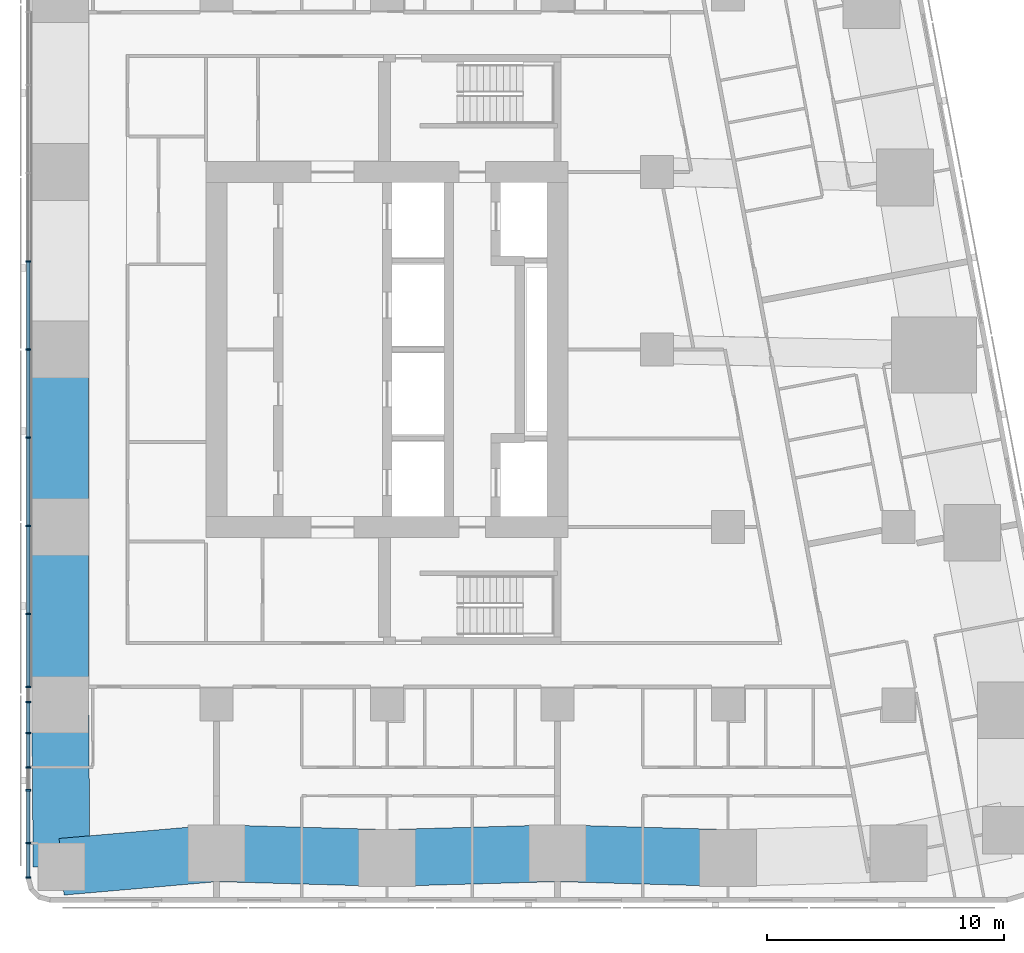
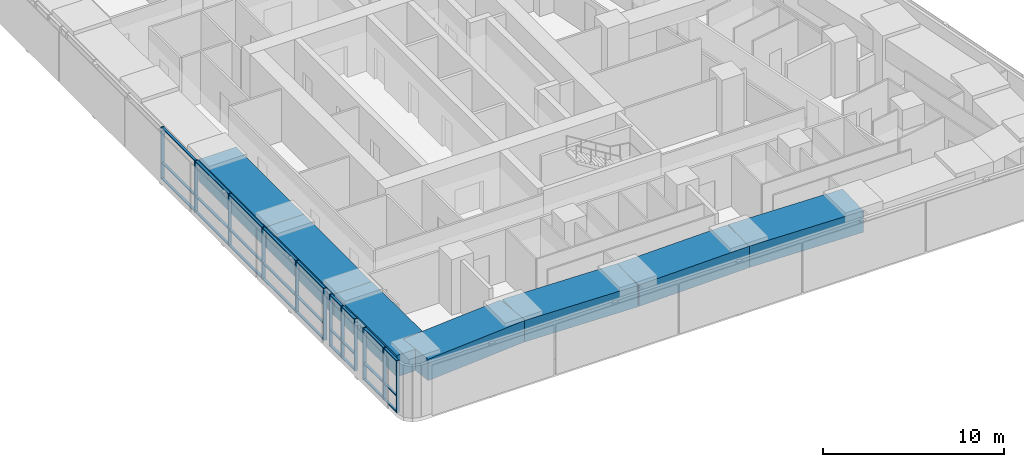
# One storey, part 2 of 19: 39 members, 7 beams, 1 element without a shape of its own.
"""IFC4 building model written with IfcOpenShell, lengths in metres."""

from ifc_helpers import new_model, si_unit, direction, frame, origin, origin_2d, place, context, subcontext, project, spatial, rectangle, extrude, material, material_profile, profile_set, type_object, element, aggregate, save


model = new_model("IFC4")

# Units and contexts
model_context = context("Model", 3, precision=1e-05, world=origin(), true_north=direction((0.0, 1.0)))
body_context = subcontext(model_context, "Body", "Model", "MODEL_VIEW")
ifc_project = project(units=[si_unit("LENGTHUNIT", "METRE"), si_unit("AREAUNIT", "SQUARE_METRE"), si_unit("VOLUMEUNIT", "CUBIC_METRE"), si_unit("PLANEANGLEUNIT", "RADIAN"), si_unit("MASSUNIT", "GRAM", prefix="KILO")], contexts=[model_context])

# Site, building, storey
site_placement = place(None, origin())
site = spatial("IfcSite", under=ifc_project, at=site_placement, CompositionType="ELEMENT")
building_placement = place(site_placement, origin())
building = spatial("IfcBuilding", under=site, at=building_placement, Name="Sheger Commons Tower", CompositionType="ELEMENT")
storey_placement = place(building_placement, frame((0.0, 0.0, 197.449951171875)))
storey = spatial("IfcBuildingStorey", under=building, at=storey_placement, Name="L50", CompositionType="ELEMENT", Elevation=197.449951171875)

# Curtain wall, members
ifc_material_1 = material(Name="Black aluminium curtain wall, dark tinted glazing", Category="aluminium")
curtain_wall_type = type_object("IfcCurtainWallType", Name="CURTAIN WALL CW4 GALLERY", PredefinedType="USERDEFINED", material=ifc_material_1)
curtain_wall_placement = place(storey_placement, origin())
curtain_wall = element("IfcCurtainWall", 1, at=curtain_wall_placement, inside=storey, type_object=curtain_wall_type, Name="Curtain Wall Cw4 Gallery W1 L50", ObjectType="UNITISED CURTAIN WALL", PredefinedType="USERDEFINED")
ifc_material_2 = material(Name="Black anodised aluminium", Category="aluminium")
ifc_material_profile_1 = material_profile(ifc_material_2, rectangle(XDim=0.199951171875, YDim=0.06494140625, at=origin_2d()), Name="AL 65x200")
ifc_profile_set_1 = profile_set([ifc_material_profile_1], Name="Black anodised aluminium")
member_type_1 = type_object("IfcMemberType", Name="MULLION AL 65x200", PredefinedType="MULLION", material=ifc_profile_set_1)
member_1_placement = place(storey_placement, frame((6.449951171875, 26.222900390625, 0.0), z_axis=(0.0, 0.0, 1.0), x_axis=(1.0, 0.0, 0.0)))
member_1 = element("IfcMember", 2, at=member_1_placement, type_object=member_type_1, Name="CW4 mullion 10", PredefinedType="MULLION", context=body_context, shape_type="SweptSolid", body=[
    extrude(rectangle(XDim=0.199951171875, YDim=0.06494140625, at=origin_2d()), origin(), (0.0, 0.0, 1.0), 3.5),
])
member_2_placement = place(storey_placement, frame((6.449951171875, 22.5, 0.0), z_axis=(0.0, 0.0, 1.0), x_axis=(1.0, 0.0, 0.0)))
member_2 = element("IfcMember", 3, at=member_2_placement, type_object=member_type_1, Name="CW4 mullion 11", PredefinedType="MULLION", context=body_context, shape_type="SweptSolid", body=[
    extrude(rectangle(XDim=0.199951171875, YDim=0.06494140625, at=origin_2d()), origin(), (0.0, 0.0, 1.0), 3.5),
])
member_3_placement = place(storey_placement, frame((6.449951171875, 18.777099609375, 0.0), z_axis=(0.0, 0.0, 1.0), x_axis=(1.0, 0.0, 0.0)))
member_3 = element("IfcMember", 4, at=member_3_placement, type_object=member_type_1, Name="CW4 mullion 12", PredefinedType="MULLION", context=body_context, shape_type="SweptSolid", body=[
    extrude(rectangle(XDim=0.199951171875, YDim=0.06494140625, at=origin_2d()), origin(), (0.0, 0.0, 1.0), 3.5),
])
member_4_placement = place(storey_placement, frame((6.449951171875, 15.053955078125, 0.0), z_axis=(0.0, 0.0, 1.0), x_axis=(1.0, 0.0, 0.0)))
member_4 = element("IfcMember", 5, at=member_4_placement, type_object=member_type_1, Name="CW4 mullion 13", PredefinedType="MULLION", context=body_context, shape_type="SweptSolid", body=[
    extrude(rectangle(XDim=0.199951171875, YDim=0.06494140625, at=origin_2d()), origin(), (0.0, 0.0, 1.0), 3.5),
])
member_5_placement = place(storey_placement, frame((6.449951171875, 11.3310546875, 0.0), z_axis=(0.0, 0.0, 1.0), x_axis=(1.0, 0.0, 0.0)))
member_5 = element("IfcMember", 6, at=member_5_placement, type_object=member_type_1, Name="CW4 mullion 14", PredefinedType="MULLION", context=body_context, shape_type="SweptSolid", body=[
    extrude(rectangle(XDim=0.199951171875, YDim=0.06494140625, at=origin_2d()), origin(), (0.0, 0.0, 1.0), 3.5),
])
member_6_placement = place(storey_placement, frame((6.449951171875, 8.25, 0.0), z_axis=(0.0, 0.0, 1.0), x_axis=(1.0, 0.0, 0.0)))
member_6 = element("IfcMember", 7, at=member_6_placement, type_object=member_type_1, Name="CW4 mullion 15", PredefinedType="MULLION", context=body_context, shape_type="SweptSolid", body=[
    extrude(rectangle(XDim=0.199951171875, YDim=0.06494140625, at=origin_2d()), origin(), (0.0, 0.0, 1.0), 3.5),
])
member_7_placement = place(storey_placement, frame((6.449951171875, 7.60888671875, 0.0), z_axis=(0.0, 0.0, 1.0), x_axis=(1.0, 0.0, 0.0)))
member_7 = element("IfcMember", 8, at=member_7_placement, type_object=member_type_1, Name="CW4 mullion 16", PredefinedType="MULLION", context=body_context, shape_type="SweptSolid", body=[
    extrude(rectangle(XDim=0.199951171875, YDim=0.06494140625, at=origin_2d()), origin(), (0.0, 0.0, 1.0), 3.5),
])
member_8_placement = place(storey_placement, frame((6.449951171875, 6.300048828125, 0.0), z_axis=(0.0, 0.0, 1.0), x_axis=(1.0, 0.0, 0.0)))
member_8 = element("IfcMember", 9, at=member_8_placement, type_object=member_type_1, Name="CW4 mullion 17", PredefinedType="MULLION", context=body_context, shape_type="SweptSolid", body=[
    extrude(rectangle(XDim=0.199951171875, YDim=0.06494140625, at=origin_2d()), origin(), (0.0, 0.0, 1.0), 3.5),
])
member_9_placement = place(storey_placement, frame((6.449951171875, 4.85009765625, 0.0), z_axis=(0.0, 0.0, 1.0), x_axis=(1.0, 0.0, 0.0)))
member_9 = element("IfcMember", 10, at=member_9_placement, type_object=member_type_1, Name="CW4 mullion 18", PredefinedType="MULLION", context=body_context, shape_type="SweptSolid", body=[
    extrude(rectangle(XDim=0.199951171875, YDim=0.06494140625, at=origin_2d()), origin(), (0.0, 0.0, 1.0), 3.5),
])
member_10_placement = place(storey_placement, frame((6.449951171875, 3.885986328125, 0.0), z_axis=(0.0, 0.0, 1.0), x_axis=(1.0, 0.0, 0.0)))
member_10 = element("IfcMember", 11, at=member_10_placement, type_object=member_type_1, Name="CW4 mullion 19", PredefinedType="MULLION", context=body_context, shape_type="SweptSolid", body=[
    extrude(rectangle(XDim=0.199951171875, YDim=0.06494140625, at=origin_2d()), origin(), (0.0, 0.0, 1.0), 3.5),
])
member_11_placement = place(storey_placement, frame((6.449951171875, 1.654052734375, 0.0), z_axis=(0.0, 0.0, 1.0), x_axis=(1.0, 0.0, 0.0)))
member_11 = element("IfcMember", 12, at=member_11_placement, type_object=member_type_1, Name="CW4 mullion 20", PredefinedType="MULLION", context=body_context, shape_type="SweptSolid", body=[
    extrude(rectangle(XDim=0.199951171875, YDim=0.06494140625, at=origin_2d()), origin(), (0.0, 0.0, 1.0), 3.5),
])
member_12_placement = place(storey_placement, frame((6.449951171875, 0.195556640625, 0.0), z_axis=(0.0, 0.0, 1.0), x_axis=(1.0, 0.0, 0.0)))
member_12 = element("IfcMember", 13, at=member_12_placement, type_object=member_type_1, Name="CW4 mullion 21", PredefinedType="MULLION", context=body_context, shape_type="SweptSolid", body=[
    extrude(rectangle(XDim=0.199951171875, YDim=0.06494140625, at=origin_2d()), origin(), (0.0, 0.0, 1.0), 3.5),
])

# Beams
ifc_material_3 = material(Name="Concrete C50/60", Category="concrete")
ifc_material_profile_2 = material_profile(ifc_material_3, rectangle(XDim=2.39990234375, YDim=1.449951171875, at=origin_2d()), Name="RC 2400x1450")
ifc_profile_set_2 = profile_set([ifc_material_profile_2], Name="Concrete C50/60")
beam_type = type_object("IfcBeamType", Name="SPANDREL RC 2400x1450", PredefinedType="SPANDREL", material=ifc_profile_set_2)
beam_1_placement = place(storey_placement, frame((7.85400390625, 0.654052734375, 2.775146484375), z_axis=(0.996216429799, 0.086906990501, 0.0), x_axis=(-0.086906990501, 0.996216429799, 0.0)))
element("IfcBeam", 14, at=beam_1_placement, inside=storey, type_object=beam_type, Name="Beam 2/A-3/A under L51", PredefinedType="SPANDREL", context=body_context, shape_type="SweptSolid", body=[
    extrude(rectangle(XDim=2.39990234375, YDim=1.449951171875, at=origin_2d()), origin(), (0.0, 0.0, 1.0), 6.57080078125),
])
beam_2_placement = place(storey_placement, frame((14.39990234375, 1.22509765625, 2.775146484375), z_axis=(0.999613688584, -0.027793409217, 0.0), x_axis=(0.027793409217, 0.999613688584, 0.0)))
element("IfcBeam", 15, at=beam_2_placement, inside=storey, type_object=beam_type, Name="Beam 3/A-4/A under L51", PredefinedType="SPANDREL", context=body_context, shape_type="SweptSolid", body=[
    extrude(rectangle(XDim=2.39990234375, YDim=1.449951171875, at=origin_2d()), origin(), (0.0, 0.0, 1.0), 7.202880859375),
])
for number, where, z_axis, x_axis, name in (
    (16, (21.60009765625, 1.02490234375, 2.775146484375), (0.9996136624, 0.027794350926, 0.0), (-0.027794350926, 0.9996136624, 0.0), "Beam 4/A-5/A under L51"),
    (17, (28.800048828125, 1.22509765625, 2.775146484375), (0.9996136624, -0.027794350926, 0.0), (0.027794350926, 0.9996136624, 0.0), "Beam 5/A-6/A under L51"),
):
    element("IfcBeam", number, at=place(storey_placement, frame(where, z_axis=z_axis, x_axis=x_axis)), inside=storey, type_object=beam_type, Name=name, PredefinedType="SPANDREL", context=body_context, shape_type="SweptSolid", body=[
        extrude(rectangle(XDim=2.39990234375, YDim=1.449951171875, at=origin_2d()), origin(), (0.0, 0.0, 1.0), 7.20263671875),
    ])
for number, where, z_axis, x_axis, name in (
    (18, (7.800048828125, 22.5, 2.775146484375), (0.0, -1.0, 0.0), (1.0, 0.0, 0.0), "Beam 2/D-2/C under L51"),
    (19, (7.800048828125, 15.0, 2.775146484375), (0.0, -1.0, 0.0), (1.0, 0.0, 0.0), "Beam 2/C-2/B under L51"),
):
    element("IfcBeam", number, at=place(storey_placement, frame(where, z_axis=z_axis, x_axis=x_axis)), inside=storey, type_object=beam_type, Name=name, PredefinedType="SPANDREL", context=body_context, shape_type="SweptSolid", body=[
        extrude(rectangle(XDim=2.39990234375, YDim=1.449951171875, at=origin_2d()), origin(), (0.0, 0.0, 1.0), 7.5),
    ])
beam_3_placement = place(storey_placement, frame((7.800048828125, 7.5, 2.775146484375), z_axis=(0.00788107188, -0.999968943871, 0.0), x_axis=(0.999968943871, 0.00788107188, 0.0)))
element("IfcBeam", 20, at=beam_3_placement, inside=storey, type_object=beam_type, Name="Beam 2/B-2/A under L51", PredefinedType="SPANDREL", context=body_context, shape_type="SweptSolid", body=[
    extrude(rectangle(XDim=2.39990234375, YDim=1.449951171875, at=origin_2d()), origin(), (0.0, 0.0, 1.0), 6.84619140625),
])

# Member
ifc_material_4 = material(Name="Black anodised aluminium", Category="aluminium")
ifc_material_profile_3 = material_profile(ifc_material_4, rectangle(XDim=0.14990234375, YDim=0.06494140625, at=origin_2d()), Name="AL 65x150")
ifc_profile_set_3 = profile_set([ifc_material_profile_3], Name="Black anodised aluminium")
member_type_2 = type_object("IfcMemberType", Name="TRANSOM AL 65x150", PredefinedType="USERDEFINED", material=ifc_profile_set_3)
member_13_placement = place(storey_placement, frame((6.449951171875, 26.1904296875, 0.032470703125), z_axis=(0.0, -1.0, 0.0), x_axis=(1.0, 0.0, 0.0)))
member_13 = element("IfcMember", 21, at=member_13_placement, type_object=member_type_2, Name="CW4 transom 10.1", ObjectType="TRANSOM", PredefinedType="USERDEFINED", context=body_context, shape_type="SweptSolid", body=[
    extrude(rectangle(XDim=0.14990234375, YDim=0.06494140625, at=origin_2d()), origin(), (0.0, 0.0, 1.0), 3.657958984375),
])

member_14_placement = place(storey_placement, frame((6.449951171875, 26.1904296875, 1.10009765625), z_axis=(0.0, -1.0, 0.0), x_axis=(1.0, 0.0, 0.0)))
member_14 = element("IfcMember", 22, at=member_14_placement, type_object=member_type_2, Name="CW4 transom 10.2", ObjectType="TRANSOM", PredefinedType="USERDEFINED", context=body_context, shape_type="SweptSolid", body=[
    extrude(rectangle(XDim=0.14990234375, YDim=0.06494140625, at=origin_2d()), origin(), (0.0, 0.0, 1.0), 3.657958984375),
])

member_15_placement = place(storey_placement, frame((6.449951171875, 26.1904296875, 3.467529296875), z_axis=(0.0, -1.0, 0.0), x_axis=(1.0, 0.0, 0.0)))
member_15 = element("IfcMember", 23, at=member_15_placement, type_object=member_type_2, Name="CW4 transom 10.3", ObjectType="TRANSOM", PredefinedType="USERDEFINED", context=body_context, shape_type="SweptSolid", body=[
    extrude(rectangle(XDim=0.14990234375, YDim=0.06494140625, at=origin_2d()), origin(), (0.0, 0.0, 1.0), 3.657958984375),
])

member_16_placement = place(storey_placement, frame((6.449951171875, 22.467529296875, 0.032470703125), z_axis=(0.0, -1.0, 0.0), x_axis=(1.0, 0.0, 0.0)))
member_16 = element("IfcMember", 24, at=member_16_placement, type_object=member_type_2, Name="CW4 transom 11.1", ObjectType="TRANSOM", PredefinedType="USERDEFINED", context=body_context, shape_type="SweptSolid", body=[
    extrude(rectangle(XDim=0.14990234375, YDim=0.06494140625, at=origin_2d()), origin(), (0.0, 0.0, 1.0), 3.657958984375),
])

member_17_placement = place(storey_placement, frame((6.449951171875, 22.467529296875, 1.10009765625), z_axis=(0.0, -1.0, 0.0), x_axis=(1.0, 0.0, 0.0)))
member_17 = element("IfcMember", 25, at=member_17_placement, type_object=member_type_2, Name="CW4 transom 11.2", ObjectType="TRANSOM", PredefinedType="USERDEFINED", context=body_context, shape_type="SweptSolid", body=[
    extrude(rectangle(XDim=0.14990234375, YDim=0.06494140625, at=origin_2d()), origin(), (0.0, 0.0, 1.0), 3.657958984375),
])

member_18_placement = place(storey_placement, frame((6.449951171875, 22.467529296875, 3.467529296875), z_axis=(0.0, -1.0, 0.0), x_axis=(1.0, 0.0, 0.0)))
member_18 = element("IfcMember", 26, at=member_18_placement, type_object=member_type_2, Name="CW4 transom 11.3", ObjectType="TRANSOM", PredefinedType="USERDEFINED", context=body_context, shape_type="SweptSolid", body=[
    extrude(rectangle(XDim=0.14990234375, YDim=0.06494140625, at=origin_2d()), origin(), (0.0, 0.0, 1.0), 3.657958984375),
])

member_19_placement = place(storey_placement, frame((6.449951171875, 18.744384765625, 0.032470703125), z_axis=(0.0, -1.0, 0.0), x_axis=(1.0, 0.0, 0.0)))
member_19 = element("IfcMember", 27, at=member_19_placement, type_object=member_type_2, Name="CW4 transom 12.1", ObjectType="TRANSOM", PredefinedType="USERDEFINED", context=body_context, shape_type="SweptSolid", body=[
    extrude(rectangle(XDim=0.14990234375, YDim=0.06494140625, at=origin_2d()), origin(), (0.0, 0.0, 1.0), 3.657958984375),
])

member_20_placement = place(storey_placement, frame((6.449951171875, 18.744384765625, 1.10009765625), z_axis=(0.0, -1.0, 0.0), x_axis=(1.0, 0.0, 0.0)))
member_20 = element("IfcMember", 28, at=member_20_placement, type_object=member_type_2, Name="CW4 transom 12.2", ObjectType="TRANSOM", PredefinedType="USERDEFINED", context=body_context, shape_type="SweptSolid", body=[
    extrude(rectangle(XDim=0.14990234375, YDim=0.06494140625, at=origin_2d()), origin(), (0.0, 0.0, 1.0), 3.657958984375),
])

member_21_placement = place(storey_placement, frame((6.449951171875, 18.744384765625, 3.467529296875), z_axis=(0.0, -1.0, 0.0), x_axis=(1.0, 0.0, 0.0)))
member_21 = element("IfcMember", 29, at=member_21_placement, type_object=member_type_2, Name="CW4 transom 12.3", ObjectType="TRANSOM", PredefinedType="USERDEFINED", context=body_context, shape_type="SweptSolid", body=[
    extrude(rectangle(XDim=0.14990234375, YDim=0.06494140625, at=origin_2d()), origin(), (0.0, 0.0, 1.0), 3.657958984375),
])

member_22_placement = place(storey_placement, frame((6.449951171875, 15.021484375, 0.032470703125), z_axis=(0.0, -1.0, 0.0), x_axis=(1.0, 0.0, 0.0)))
member_22 = element("IfcMember", 30, at=member_22_placement, type_object=member_type_2, Name="CW4 transom 13.1", ObjectType="TRANSOM", PredefinedType="USERDEFINED", context=body_context, shape_type="SweptSolid", body=[
    extrude(rectangle(XDim=0.14990234375, YDim=0.06494140625, at=origin_2d()), origin(), (0.0, 0.0, 1.0), 3.657958984375),
])

member_23_placement = place(storey_placement, frame((6.449951171875, 15.021484375, 1.10009765625), z_axis=(0.0, -1.0, 0.0), x_axis=(1.0, 0.0, 0.0)))
member_23 = element("IfcMember", 31, at=member_23_placement, type_object=member_type_2, Name="CW4 transom 13.2", ObjectType="TRANSOM", PredefinedType="USERDEFINED", context=body_context, shape_type="SweptSolid", body=[
    extrude(rectangle(XDim=0.14990234375, YDim=0.06494140625, at=origin_2d()), origin(), (0.0, 0.0, 1.0), 3.657958984375),
])

member_24_placement = place(storey_placement, frame((6.449951171875, 15.021484375, 3.467529296875), z_axis=(0.0, -1.0, 0.0), x_axis=(1.0, 0.0, 0.0)))
member_24 = element("IfcMember", 32, at=member_24_placement, type_object=member_type_2, Name="CW4 transom 13.3", ObjectType="TRANSOM", PredefinedType="USERDEFINED", context=body_context, shape_type="SweptSolid", body=[
    extrude(rectangle(XDim=0.14990234375, YDim=0.06494140625, at=origin_2d()), origin(), (0.0, 0.0, 1.0), 3.657958984375),
])

member_25_placement = place(storey_placement, frame((6.449951171875, 11.298583984375, 0.032470703125), z_axis=(0.0, -1.0, 0.0), x_axis=(1.0, 0.0, 0.0)))
member_25 = element("IfcMember", 33, at=member_25_placement, type_object=member_type_2, Name="CW4 transom 14.1", ObjectType="TRANSOM", PredefinedType="USERDEFINED", context=body_context, shape_type="SweptSolid", body=[
    extrude(rectangle(XDim=0.14990234375, YDim=0.06494140625, at=origin_2d()), origin(), (0.0, 0.0, 1.0), 3.01611328125),
])

member_26_placement = place(storey_placement, frame((6.449951171875, 11.298583984375, 1.10009765625), z_axis=(0.0, -1.0, 0.0), x_axis=(1.0, 0.0, 0.0)))
member_26 = element("IfcMember", 34, at=member_26_placement, type_object=member_type_2, Name="CW4 transom 14.2", ObjectType="TRANSOM", PredefinedType="USERDEFINED", context=body_context, shape_type="SweptSolid", body=[
    extrude(rectangle(XDim=0.14990234375, YDim=0.06494140625, at=origin_2d()), origin(), (0.0, 0.0, 1.0), 3.01611328125),
])

member_27_placement = place(storey_placement, frame((6.449951171875, 11.298583984375, 3.467529296875), z_axis=(0.0, -1.0, 0.0), x_axis=(1.0, 0.0, 0.0)))
member_27 = element("IfcMember", 35, at=member_27_placement, type_object=member_type_2, Name="CW4 transom 14.3", ObjectType="TRANSOM", PredefinedType="USERDEFINED", context=body_context, shape_type="SweptSolid", body=[
    extrude(rectangle(XDim=0.14990234375, YDim=0.06494140625, at=origin_2d()), origin(), (0.0, 0.0, 1.0), 3.01611328125),
])

member_28_placement = place(storey_placement, frame((6.449951171875, 7.576416015625, 0.032470703125), z_axis=(0.0, -1.0, 0.0), x_axis=(1.0, 0.0, 0.0)))
member_28 = element("IfcMember", 36, at=member_28_placement, type_object=member_type_2, Name="CW4 transom 16.1", ObjectType="TRANSOM", PredefinedType="USERDEFINED", context=body_context, shape_type="SweptSolid", body=[
    extrude(rectangle(XDim=0.14990234375, YDim=0.06494140625, at=origin_2d()), origin(), (0.0, 0.0, 1.0), 1.243896484375),
])

member_29_placement = place(storey_placement, frame((6.449951171875, 7.576416015625, 1.10009765625), z_axis=(0.0, -1.0, 0.0), x_axis=(1.0, 0.0, 0.0)))
member_29 = element("IfcMember", 37, at=member_29_placement, type_object=member_type_2, Name="CW4 transom 16.2", ObjectType="TRANSOM", PredefinedType="USERDEFINED", context=body_context, shape_type="SweptSolid", body=[
    extrude(rectangle(XDim=0.14990234375, YDim=0.06494140625, at=origin_2d()), origin(), (0.0, 0.0, 1.0), 1.243896484375),
])

member_30_placement = place(storey_placement, frame((6.449951171875, 7.576416015625, 3.467529296875), z_axis=(0.0, -1.0, 0.0), x_axis=(1.0, 0.0, 0.0)))
member_30 = element("IfcMember", 38, at=member_30_placement, type_object=member_type_2, Name="CW4 transom 16.3", ObjectType="TRANSOM", PredefinedType="USERDEFINED", context=body_context, shape_type="SweptSolid", body=[
    extrude(rectangle(XDim=0.14990234375, YDim=0.06494140625, at=origin_2d()), origin(), (0.0, 0.0, 1.0), 1.243896484375),
])

member_31_placement = place(storey_placement, frame((6.449951171875, 6.267578125, 0.032470703125), z_axis=(0.0, -1.0, 0.0), x_axis=(1.0, 0.0, 0.0)))
member_31 = element("IfcMember", 39, at=member_31_placement, type_object=member_type_2, Name="CW4 transom 17.1", ObjectType="TRANSOM", PredefinedType="USERDEFINED", context=body_context, shape_type="SweptSolid", body=[
    extrude(rectangle(XDim=0.14990234375, YDim=0.06494140625, at=origin_2d()), origin(), (0.0, 0.0, 1.0), 1.385009765625),
])

member_32_placement = place(storey_placement, frame((6.449951171875, 6.267578125, 1.10009765625), z_axis=(0.0, -1.0, 0.0), x_axis=(1.0, 0.0, 0.0)))
member_32 = element("IfcMember", 40, at=member_32_placement, type_object=member_type_2, Name="CW4 transom 17.2", ObjectType="TRANSOM", PredefinedType="USERDEFINED", context=body_context, shape_type="SweptSolid", body=[
    extrude(rectangle(XDim=0.14990234375, YDim=0.06494140625, at=origin_2d()), origin(), (0.0, 0.0, 1.0), 1.385009765625),
])

member_33_placement = place(storey_placement, frame((6.449951171875, 6.267578125, 3.467529296875), z_axis=(0.0, -1.0, 0.0), x_axis=(1.0, 0.0, 0.0)))
member_33 = element("IfcMember", 41, at=member_33_placement, type_object=member_type_2, Name="CW4 transom 17.3", ObjectType="TRANSOM", PredefinedType="USERDEFINED", context=body_context, shape_type="SweptSolid", body=[
    extrude(rectangle(XDim=0.14990234375, YDim=0.06494140625, at=origin_2d()), origin(), (0.0, 0.0, 1.0), 1.385009765625),
])

member_34_placement = place(storey_placement, frame((6.449951171875, 3.853515625, 0.032470703125), z_axis=(0.0, -1.0, 0.0), x_axis=(1.0, 0.0, 0.0)))
member_34 = element("IfcMember", 42, at=member_34_placement, type_object=member_type_2, Name="CW4 transom 19.1", ObjectType="TRANSOM", PredefinedType="USERDEFINED", context=body_context, shape_type="SweptSolid", body=[
    extrude(rectangle(XDim=0.14990234375, YDim=0.06494140625, at=origin_2d()), origin(), (0.0, 0.0, 1.0), 2.1669921875),
])

member_35_placement = place(storey_placement, frame((6.449951171875, 3.853515625, 1.10009765625), z_axis=(0.0, -1.0, 0.0), x_axis=(1.0, 0.0, 0.0)))
member_35 = element("IfcMember", 43, at=member_35_placement, type_object=member_type_2, Name="CW4 transom 19.2", ObjectType="TRANSOM", PredefinedType="USERDEFINED", context=body_context, shape_type="SweptSolid", body=[
    extrude(rectangle(XDim=0.14990234375, YDim=0.06494140625, at=origin_2d()), origin(), (0.0, 0.0, 1.0), 2.1669921875),
])

member_36_placement = place(storey_placement, frame((6.449951171875, 3.853515625, 3.467529296875), z_axis=(0.0, -1.0, 0.0), x_axis=(1.0, 0.0, 0.0)))
member_36 = element("IfcMember", 44, at=member_36_placement, type_object=member_type_2, Name="CW4 transom 19.3", ObjectType="TRANSOM", PredefinedType="USERDEFINED", context=body_context, shape_type="SweptSolid", body=[
    extrude(rectangle(XDim=0.14990234375, YDim=0.06494140625, at=origin_2d()), origin(), (0.0, 0.0, 1.0), 2.1669921875),
])

member_37_placement = place(storey_placement, frame((6.449951171875, 1.62158203125, 0.032470703125), z_axis=(0.0, -1.0, 0.0), x_axis=(1.0, 0.0, 0.0)))
member_37 = element("IfcMember", 45, at=member_37_placement, type_object=member_type_2, Name="CW4 transom 20.1", ObjectType="TRANSOM", PredefinedType="USERDEFINED", context=body_context, shape_type="SweptSolid", body=[
    extrude(rectangle(XDim=0.14990234375, YDim=0.06494140625, at=origin_2d()), origin(), (0.0, 0.0, 1.0), 1.3935546875),
])

member_38_placement = place(storey_placement, frame((6.449951171875, 1.62158203125, 1.10009765625), z_axis=(0.0, -1.0, 0.0), x_axis=(1.0, 0.0, 0.0)))
member_38 = element("IfcMember", 46, at=member_38_placement, type_object=member_type_2, Name="CW4 transom 20.2", ObjectType="TRANSOM", PredefinedType="USERDEFINED", context=body_context, shape_type="SweptSolid", body=[
    extrude(rectangle(XDim=0.14990234375, YDim=0.06494140625, at=origin_2d()), origin(), (0.0, 0.0, 1.0), 1.3935546875),
])

member_39_placement = place(storey_placement, frame((6.449951171875, 1.62158203125, 3.467529296875), z_axis=(0.0, -1.0, 0.0), x_axis=(1.0, 0.0, 0.0)))
member_39 = element("IfcMember", 47, at=member_39_placement, type_object=member_type_2, Name="CW4 transom 20.3", ObjectType="TRANSOM", PredefinedType="USERDEFINED", context=body_context, shape_type="SweptSolid", body=[
    extrude(rectangle(XDim=0.14990234375, YDim=0.06494140625, at=origin_2d()), origin(), (0.0, 0.0, 1.0), 1.3935546875),
])

aggregate(curtain_wall, [member_1, member_2, member_3, member_4, member_5, member_6, member_7, member_8, member_9, member_10, member_11, member_12, member_13, member_14, member_15, member_16, member_17, member_18, member_19, member_20, member_21, member_22, member_23, member_24, member_25, member_26, member_27, member_28, member_29, member_30, member_31, member_32, member_33, member_34, member_35, member_36, member_37, member_38, member_39])

save(model, "model.ifc")
